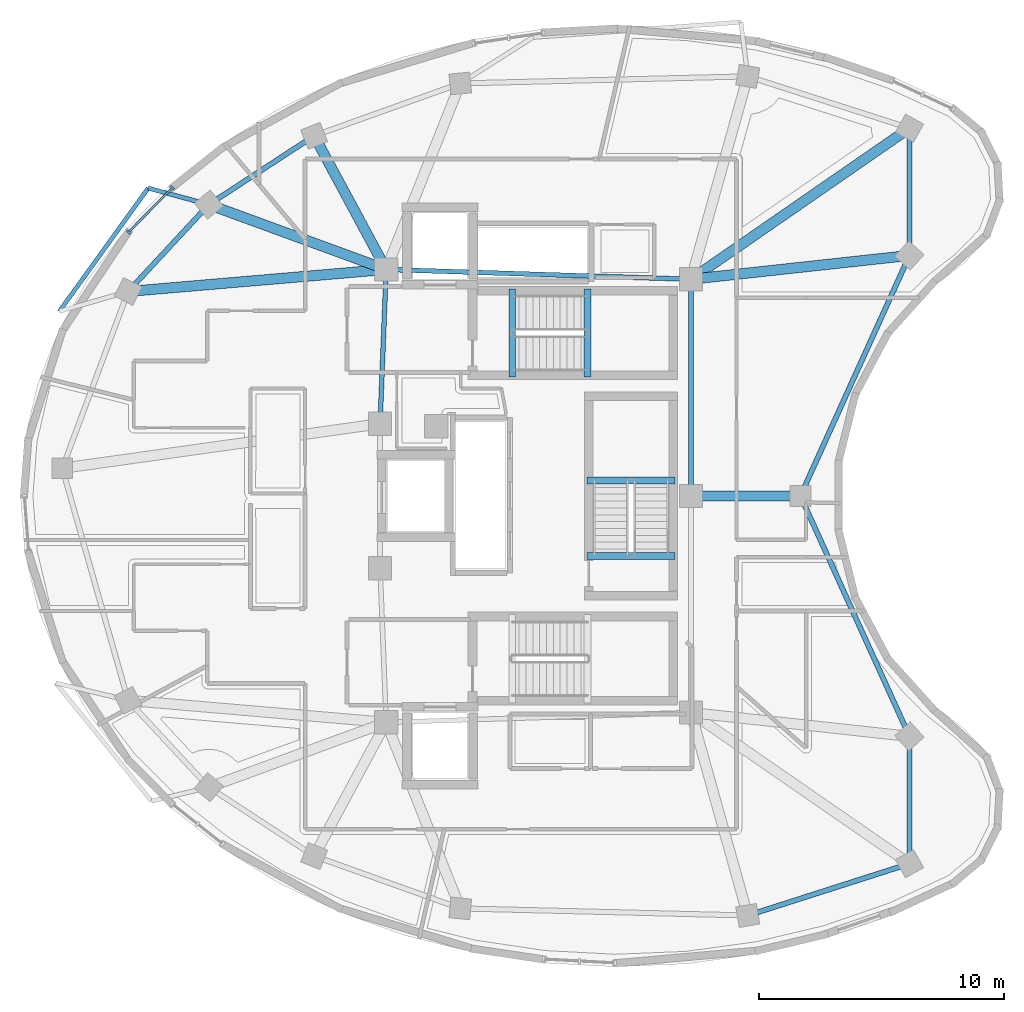
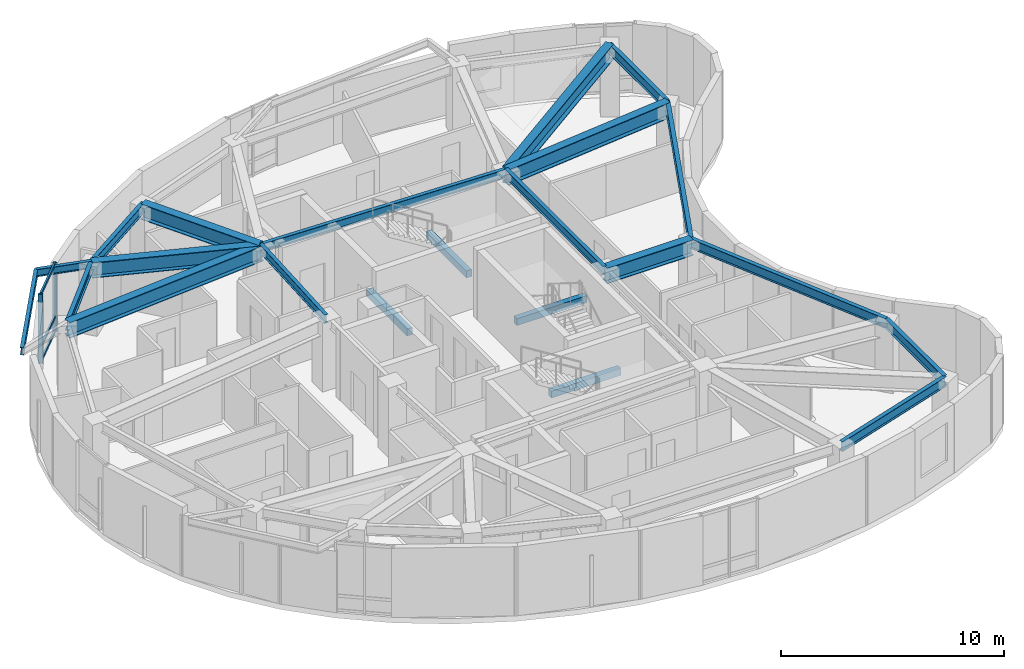
# One storey, part 3 of 12: 22 beams, 5 members, 1 element without a shape of its own.
"""IFC4 building model written with IfcOpenShell, lengths in metres."""

from ifc_helpers import new_model, si_unit, direction, frame, origin, origin_2d, place, context, subcontext, project, spatial, rectangle, i_section, extrude, material, layer, layer_set, material_profile, profile_set, type_object, element, aggregate, save


model = new_model("IFC4")

# Units and contexts
model_context = context("Model", 3, precision=1e-05, world=origin(), true_north=direction((0.0, 1.0)))
body_context = subcontext(model_context, "Body", "Model", "MODEL_VIEW")
ifc_project = project(units=[si_unit("LENGTHUNIT", "METRE"), si_unit("AREAUNIT", "SQUARE_METRE"), si_unit("VOLUMEUNIT", "CUBIC_METRE"), si_unit("PLANEANGLEUNIT", "RADIAN"), si_unit("MASSUNIT", "GRAM", prefix="KILO")], contexts=[model_context])

# Site, building, storey
site_placement = place(None, origin())
site = spatial("IfcSite", under=ifc_project, at=site_placement, CompositionType="ELEMENT")
building_placement = place(site_placement, origin())
building = spatial("IfcBuilding", under=site, at=building_placement, Name="Korentha Bioscience Tower", CompositionType="ELEMENT")
storey_placement = place(building_placement, frame((0.0, 0.0, 282.60009765625)))
storey = spatial("IfcBuildingStorey", under=building, at=storey_placement, Name="L65", CompositionType="ELEMENT", Elevation=282.60009765625)

# Beams
ifc_material_1 = material(Name="Concrete C50", Category="concrete")
ifc_material_profile_1 = material_profile(ifc_material_1, rectangle(XDim=0.280029296875, YDim=0.3798828125, at=origin_2d()), Name="Concrete C50")
ifc_profile_set_1 = profile_set([ifc_material_profile_1], Name="Concrete C50 (ST-HB380)")
beam_type_1 = type_object("IfcBeamType", Name="Concrete Stair Header Beam RC 280x380", PredefinedType="BEAM", material=ifc_profile_set_1)
for number, where, z_axis, x_axis, name in (
    (1, (30.25, 31.85009765625, -0.190185546875), (0.0, 1.0, 0.0), (-1.0, 0.0, 0.0), "L65 ST-1 Concrete Stair Header Beam"),
    (2, (33.330078125, 31.85009765625, 1.909912109375), (0.0, 1.0, 0.0), (-1.0, 0.0, 0.0), "L65 ST-1 Half-Landing Header Beam 1"),
    (3, (36.89990234375, 24.550048828125, -0.190185546875), (-1.0, 0.0, 0.0), (0.0, -1.0, 0.0), "L65 ST-3 Concrete Stair Header Beam"),
    (4, (36.89990234375, 27.6298828125, 1.909912109375), (-1.0, 0.0, 0.0), (0.0, -1.0, 0.0), "L65 ST-3 Half-Landing Header Beam 1"),
):
    element("IfcBeam", number, at=place(storey_placement, frame(where, z_axis=z_axis, x_axis=x_axis)), inside=storey, type_object=beam_type_1, Name=name, PredefinedType="BEAM", context=body_context, shape_type="SweptSolid", body=[
        extrude(rectangle(XDim=0.280029296875, YDim=0.3798828125, at=origin_2d()), origin(), (0.0, 0.0, 1.0), 3.599853515625),
    ])
ifc_material_2 = material(Name="Steel S355", Category="steel")
ifc_material_profile_2 = material_profile(ifc_material_2, i_section(OverallWidth=0.18994140625, OverallDepth=0.45703125, WebThickness=0.009033203125, FlangeThickness=0.014404296875, at=origin_2d()), Name="Steel S355")
ifc_profile_set_2 = profile_set([ifc_material_profile_2], Name="Steel S355 (MB-460)")
beam_type_2 = type_object("IfcBeamType", Name="Mid-Ring Tie Girder W460x74", PredefinedType="BEAM", material=ifc_profile_set_2)
beam_1_placement = place(storey_placement, frame((37.550048828125, 35.85009765625, 3.5615234375), z_axis=(-0.999484526071, 0.032104238723, 0.0), x_axis=(-0.032104238723, -0.999484526071, 0.0)))
element("IfcBeam", 5, at=beam_1_placement, inside=storey, type_object=beam_type_2, Name="L65 Core Ring Tie Girder 01", PredefinedType="BEAM", context=body_context, shape_type="SweptSolid", body=[
    extrude(i_section(OverallWidth=0.18994140625, OverallDepth=0.45703125, WebThickness=0.009033203125, FlangeThickness=0.014404296875, at=origin_2d()), origin(), (0.0, 0.0, 1.0), 12.456298828125),
])
beam_2_placement = place(storey_placement, frame((25.10009765625, 36.25, 3.5615234375), z_axis=(-0.039651025576, -0.999213588864, 0.0), x_axis=(0.999213588864, -0.039651025576, 0.0)))
element("IfcBeam", 6, at=beam_2_placement, inside=storey, type_object=beam_type_2, Name="L65 Core Ring Tie Girder 02", PredefinedType="BEAM", context=body_context, shape_type="SweptSolid", body=[
    extrude(i_section(OverallWidth=0.18994140625, OverallDepth=0.45703125, WebThickness=0.009033203125, FlangeThickness=0.014404296875, at=origin_2d()), origin(), (0.0, 0.0, 1.0), 6.304931640625),
])
beam_3_placement = place(storey_placement, frame((37.550048828125, 27.0, 3.5615234375), z_axis=(0.0, 1.0, 0.0), x_axis=(-1.0, 0.0, 0.0)))
element("IfcBeam", 7, at=beam_3_placement, inside=storey, type_object=beam_type_2, Name="L65 Core Ring Tie Girder 07", PredefinedType="BEAM", context=body_context, shape_type="SweptSolid", body=[
    extrude(i_section(OverallWidth=0.18994140625, OverallDepth=0.45703125, WebThickness=0.009033203125, FlangeThickness=0.014404296875, at=origin_2d()), origin(), (0.0, 0.0, 1.0), 8.85009765625),
])

# Curtain wall, members
ifc_material_3 = material(Name="Thermally Broken Aluminium Frame", Category="aluminium")
ifc_layer = layer(ifc_material_3, 0.219970703125, Name="Thermally Broken Aluminium Frame")
ifc_layer_set = layer_set([ifc_layer], Name="Thermally Broken Aluminium Frame (CW-T1)")
curtain_wall_type = type_object("IfcCurtainWallType", Name="Standard Bioscience Lab Unitised Curtain Wall CW-T1", PredefinedType="USERDEFINED", material=ifc_layer_set)
curtain_wall_placement = place(storey_placement, origin())
curtain_wall = element("IfcCurtainWall", 8, at=curtain_wall_placement, inside=storey, type_object=curtain_wall_type, Name="L65 Curtain Wall 13", ObjectType="UNITISED", PredefinedType="USERDEFINED")
ifc_material_4 = material(Name="Anodised Aluminium 6063-T6", Category="aluminium")
ifc_material_profile_3 = material_profile(ifc_material_4, rectangle(XDim=0.090087890625, YDim=0.199951171875, at=origin_2d()), Name="Anodised Aluminium 6063-T6")
ifc_profile_set_3 = profile_set([ifc_material_profile_3], Name="Anodised Aluminium 6063-T6 (CW-MUL)")
member_type_1 = type_object("IfcMemberType", Name="Mullion RECT 90x200", PredefinedType="MULLION", material=ifc_profile_set_3)
member_1_placement = place(storey_placement, frame((16.3681640625, 39.586669921875, 0.0), z_axis=(0.0, 0.0, 1.0), x_axis=(-0.703813123431, -0.710385168262, 0.0)))
member_1 = element("IfcMember", 9, at=member_1_placement, type_object=member_type_1, Name="CW-L65-13 Mullion 1", PredefinedType="MULLION", context=body_context, shape_type="SweptSolid", body=[
    extrude(rectangle(XDim=0.090087890625, YDim=0.199951171875, at=origin_2d()), origin(), (0.0, 0.0, 1.0), 3.789794921875),
])
member_2_placement = place(storey_placement, frame((14.568115234375, 37.77001953125, 0.0), z_axis=(0.0, 0.0, 1.0), x_axis=(-0.703813123431, -0.710385168262, 0.0)))
member_2 = element("IfcMember", 10, at=member_2_placement, type_object=member_type_1, Name="CW-L65-13 Mullion 2", PredefinedType="MULLION", context=body_context, shape_type="SweptSolid", body=[
    extrude(rectangle(XDim=0.090087890625, YDim=0.199951171875, at=origin_2d()), origin(), (0.0, 0.0, 1.0), 3.789794921875),
])

# Beams
ifc_material_profile_4 = material_profile(ifc_material_2, i_section(OverallWidth=0.208984375, OverallDepth=0.532958984375, WebThickness=0.01025390625, FlangeThickness=0.015625, at=origin_2d()), Name="Steel S355")
ifc_profile_set_4 = profile_set([ifc_material_profile_4], Name="Steel S355 (SB-530)")
beam_type_3 = type_object("IfcBeamType", Name="Perimeter Ring Spandrel Girder W530x92", PredefinedType="SPANDREL", material=ifc_profile_set_4)
beam_4_placement = place(storey_placement, frame((22.156982421875, 41.709228515625, 3.5234375), z_axis=(-0.837370389089, -0.546635922234, 0.0), x_axis=(0.546635922234, -0.837370389089, 0.0)))
element("IfcBeam", 11, at=beam_4_placement, inside=storey, type_object=beam_type_3, Name="L65 Perimeter Spandrel Girder 04", PredefinedType="SPANDREL", context=body_context, shape_type="SweptSolid", body=[
    extrude(i_section(OverallWidth=0.208984375, OverallDepth=0.532958984375, WebThickness=0.01025390625, FlangeThickness=0.015625, at=origin_2d()), origin(), (0.0, 0.0, 1.0), 5.137451171875),
])
beam_5_placement = place(storey_placement, frame((17.85498046875, 38.90087890625, 3.5234375), z_axis=(-0.680655927259, -0.732603240976, 0.0), x_axis=(0.732603240976, -0.680655927259, 0.0)))
element("IfcBeam", 12, at=beam_5_placement, inside=storey, type_object=beam_type_3, Name="L65 Perimeter Spandrel Girder 05", PredefinedType="SPANDREL", context=body_context, shape_type="SweptSolid", body=[
    extrude(i_section(OverallWidth=0.208984375, OverallDepth=0.532958984375, WebThickness=0.01025390625, FlangeThickness=0.015625, at=origin_2d()), origin(), (0.0, 0.0, 1.0), 4.845458984375),
])
beam_6_placement = place(storey_placement, frame((39.869140625, 9.86181640625, 3.5234375), z_axis=(0.952374693577, 0.304930226503, 0.0), x_axis=(-0.304930226503, 0.952374693577, 0.0)))
element("IfcBeam", 13, at=beam_6_placement, inside=storey, type_object=beam_type_3, Name="L65 Perimeter Spandrel Girder 12", PredefinedType="SPANDREL", context=body_context, shape_type="SweptSolid", body=[
    extrude(i_section(OverallWidth=0.208984375, OverallDepth=0.532958984375, WebThickness=0.01025390625, FlangeThickness=0.015625, at=origin_2d()), origin(), (0.0, 0.0, 1.0), 6.9375),
])
beam_7_placement = place(storey_placement, frame((46.476318359375, 11.977294921875, 3.5234375), z_axis=(-0.00032863848, 0.999999945998, 0.0), x_axis=(-0.999999945998, -0.00032863848, 0.0)))
element("IfcBeam", 14, at=beam_7_placement, inside=storey, type_object=beam_type_3, Name="L65 Perimeter Spandrel Girder 13", PredefinedType="SPANDREL", context=body_context, shape_type="SweptSolid", body=[
    extrude(i_section(OverallWidth=0.208984375, OverallDepth=0.532958984375, WebThickness=0.01025390625, FlangeThickness=0.015625, at=origin_2d()), origin(), (0.0, 0.0, 1.0), 5.2001953125),
])
for number, where, z_axis, x_axis, name in (
    (15, (46.474609375, 17.177490234375, 3.5234375), (-0.413001207092, 0.910730477661, 0.0), (-0.910730477661, -0.413001207092, 0.0), "L65 Perimeter Spandrel Girder 14"),
    (16, (42.020263671875, 27.0, 3.5234375), (0.413001207092, 0.910730477661, 0.0), (-0.910730477661, 0.413001207092, 0.0), "L65 Perimeter Spandrel Girder 15"),
):
    element("IfcBeam", number, at=place(storey_placement, frame(where, z_axis=z_axis, x_axis=x_axis)), inside=storey, type_object=beam_type_3, Name=name, PredefinedType="SPANDREL", context=body_context, shape_type="SweptSolid", body=[
        extrude(i_section(OverallWidth=0.208984375, OverallDepth=0.532958984375, WebThickness=0.01025390625, FlangeThickness=0.015625, at=origin_2d()), origin(), (0.0, 0.0, 1.0), 10.785400390625),
    ])
beam_8_placement = place(storey_placement, frame((46.474609375, 36.822509765625, 3.5234375), z_axis=(0.00032863848, 0.999999945998, 0.0), x_axis=(-0.999999945998, 0.00032863848, 0.0)))
element("IfcBeam", 17, at=beam_8_placement, inside=storey, type_object=beam_type_3, Name="L65 Perimeter Spandrel Girder 16", PredefinedType="SPANDREL", context=body_context, shape_type="SweptSolid", body=[
    extrude(i_section(OverallWidth=0.208984375, OverallDepth=0.532958984375, WebThickness=0.01025390625, FlangeThickness=0.015625, at=origin_2d()), origin(), (0.0, 0.0, 1.0), 5.2001953125),
])
ifc_material_profile_5 = material_profile(ifc_material_2, i_section(OverallWidth=0.419921875, OverallDepth=0.85009765625, WebThickness=0.01806640625, FlangeThickness=0.031982421875, at=origin_2d()), Name="Steel S355")
ifc_profile_set_5 = profile_set([ifc_material_profile_5], Name="Steel S355 (MB-850)")
beam_type_4 = type_object("IfcBeamType", Name="Plant Heavy Girder CVS 850x315", PredefinedType="BEAM", material=ifc_profile_set_5)
beam_9_placement = place(storey_placement, frame((37.550048828125, 35.85009765625, 3.364990234375), z_axis=(0.822499007629, 0.56876654477, 0.0), x_axis=(-0.56876654477, 0.822499007629, 0.0)))
element("IfcBeam", 18, at=beam_9_placement, inside=storey, type_object=beam_type_4, Name="L65 Radial Girder 01", PredefinedType="BEAM", context=body_context, shape_type="SweptSolid", body=[
    extrude(i_section(OverallWidth=0.419921875, OverallDepth=0.85009765625, WebThickness=0.01806640625, FlangeThickness=0.031982421875, at=origin_2d()), origin(), (0.0, 0.0, 1.0), 10.8525390625),
])
beam_10_placement = place(storey_placement, frame((25.10009765625, 36.25, 3.364990234375), z_axis=(-0.474541081143, 0.880233356734, 0.0), x_axis=(-0.880233356734, -0.474541081143, 0.0)))
element("IfcBeam", 19, at=beam_10_placement, inside=storey, type_object=beam_type_4, Name="L65 Radial Girder 04", PredefinedType="BEAM", context=body_context, shape_type="SweptSolid", body=[
    extrude(i_section(OverallWidth=0.419921875, OverallDepth=0.85009765625, WebThickness=0.01806640625, FlangeThickness=0.031982421875, at=origin_2d()), origin(), (0.0, 0.0, 1.0), 6.201904296875),
])
beam_11_placement = place(storey_placement, frame((25.10009765625, 36.25, 3.364990234375), z_axis=(-0.939113387984, 0.343607398798, 0.0), x_axis=(-0.343607398798, -0.939113387984, 0.0)))
element("IfcBeam", 20, at=beam_11_placement, inside=storey, type_object=beam_type_4, Name="L65 Radial Girder 05", PredefinedType="BEAM", context=body_context, shape_type="SweptSolid", body=[
    extrude(i_section(OverallWidth=0.419921875, OverallDepth=0.85009765625, WebThickness=0.01806640625, FlangeThickness=0.031982421875, at=origin_2d()), origin(), (0.0, 0.0, 1.0), 7.71484375),
])
beam_12_placement = place(storey_placement, frame((25.10009765625, 36.25, 3.364990234375), z_axis=(-0.996384971169, -0.084952864741, 0.0), x_axis=(0.084952864741, -0.996384971169, 0.0)))
element("IfcBeam", 21, at=beam_12_placement, inside=storey, type_object=beam_type_4, Name="L65 Radial Girder 06", PredefinedType="BEAM", context=body_context, shape_type="SweptSolid", body=[
    extrude(i_section(OverallWidth=0.419921875, OverallDepth=0.85009765625, WebThickness=0.01806640625, FlangeThickness=0.031982421875, at=origin_2d()), origin(), (0.0, 0.0, 1.0), 10.58154296875),
])
beam_13_placement = place(storey_placement, frame((37.550048828125, 27.0, 3.364990234375), z_axis=(1.0, 0.0, 0.0), x_axis=(0.0, 1.0, 0.0)))
element("IfcBeam", 22, at=beam_13_placement, inside=storey, type_object=beam_type_4, Name="L65 Radial Girder 15", PredefinedType="BEAM", context=body_context, shape_type="SweptSolid", body=[
    extrude(i_section(OverallWidth=0.419921875, OverallDepth=0.85009765625, WebThickness=0.01806640625, FlangeThickness=0.031982421875, at=origin_2d()), origin(), (0.0, 0.0, 1.0), 4.47021484375),
])
beam_14_placement = place(storey_placement, frame((37.550048828125, 35.85009765625, 3.364990234375), z_axis=(0.994116294337, 0.108318019432, 0.0), x_axis=(-0.108318019432, 0.994116294337, 0.0)))
element("IfcBeam", 23, at=beam_14_placement, inside=storey, type_object=beam_type_4, Name="L65 Radial Girder 16", PredefinedType="BEAM", context=body_context, shape_type="SweptSolid", body=[
    extrude(i_section(OverallWidth=0.419921875, OverallDepth=0.85009765625, WebThickness=0.01806640625, FlangeThickness=0.031982421875, at=origin_2d()), origin(), (0.0, 0.0, 1.0), 8.977294921875),
])
ifc_material_profile_6 = material_profile(ifc_material_2, i_section(OverallWidth=0.177978515625, OverallDepth=0.406982421875, WebThickness=0.0078125, FlangeThickness=0.0126953125, at=origin_2d()), Name="Steel S355")
ifc_profile_set_6 = profile_set([ifc_material_profile_6], Name="Steel S355 (CB-410)")
beam_type_5 = type_object("IfcBeamType", Name="Sun-Ledge Cantilever Beam W410x60", PredefinedType="BEAM", material=ifc_profile_set_6)
beam_15_placement = place(storey_placement, frame((17.85498046875, 38.90087890625, 3.58837890625), z_axis=(-0.965015941255, 0.262191214809, 0.0), x_axis=(-0.262191214809, -0.965015941255, 0.0)))
element("IfcBeam", 24, at=beam_15_placement, inside=storey, type_object=beam_type_5, Name="L65 Balcony Cantilever Bracket A-L66-02", PredefinedType="BEAM", context=body_context, shape_type="SweptSolid", body=[
    extrude(i_section(OverallWidth=0.177978515625, OverallDepth=0.406982421875, WebThickness=0.0078125, FlangeThickness=0.0126953125, at=origin_2d()), origin(), (0.0, 0.0, 1.0), 2.5654296875),
])
beam_16_placement = place(storey_placement, frame((15.37939453125, 39.573486328125, 3.58837890625), z_axis=(-0.584965169678, -0.811058413595, 0.0), x_axis=(0.811058413595, -0.584965169678, 0.0)))
element("IfcBeam", 25, at=beam_16_placement, inside=storey, type_object=beam_type_5, Name="L65 Balcony Edge Trimmer Beam L66-02", PredefinedType="BEAM", context=body_context, shape_type="SweptSolid", body=[
    extrude(i_section(OverallWidth=0.177978515625, OverallDepth=0.406982421875, WebThickness=0.0078125, FlangeThickness=0.0126953125, at=origin_2d()), origin(), (0.0, 0.0, 1.0), 6.211181640625),
])

# Member
ifc_material_profile_7 = material_profile(ifc_material_4, rectangle(XDim=0.090087890625, YDim=0.159912109375, at=origin_2d()), Name="Anodised Aluminium 6063-T6")
ifc_profile_set_7 = profile_set([ifc_material_profile_7], Name="Anodised Aluminium 6063-T6 (CW-TRN)")
member_type_2 = type_object("IfcMemberType", Name="Transom RECT 90x160", PredefinedType="USERDEFINED", material=ifc_profile_set_7)
member_3_placement = place(storey_placement, frame((16.336669921875, 39.5546875, 0.044921875), z_axis=(-0.703834338807, -0.710364148529, 0.0), x_axis=(0.710364148529, -0.703834338807, 0.0)))
member_3 = element("IfcMember", 26, at=member_3_placement, type_object=member_type_2, Name="CW-L65-13 Bay 1 Transom 1", ObjectType="TRANSOM", PredefinedType="USERDEFINED", context=body_context, shape_type="SweptSolid", body=[
    extrude(rectangle(XDim=0.090087890625, YDim=0.159912109375, at=origin_2d()), origin(), (0.0, 0.0, 1.0), 2.467529296875),
])

member_4_placement = place(storey_placement, frame((16.336669921875, 39.5546875, 0.849853515625), z_axis=(-0.703834338807, -0.710364148529, 0.0), x_axis=(0.710364148529, -0.703834338807, 0.0)))
member_4 = element("IfcMember", 27, at=member_4_placement, type_object=member_type_2, Name="CW-L65-13 Bay 1 Transom 2", ObjectType="TRANSOM", PredefinedType="USERDEFINED", context=body_context, shape_type="SweptSolid", body=[
    extrude(rectangle(XDim=0.090087890625, YDim=0.159912109375, at=origin_2d()), origin(), (0.0, 0.0, 1.0), 2.467529296875),
])

member_5_placement = place(storey_placement, frame((16.336669921875, 39.5546875, 3.744873046875), z_axis=(-0.703834338807, -0.710364148529, 0.0), x_axis=(0.710364148529, -0.703834338807, 0.0)))
member_5 = element("IfcMember", 28, at=member_5_placement, type_object=member_type_2, Name="CW-L65-13 Bay 1 Transom 3", ObjectType="TRANSOM", PredefinedType="USERDEFINED", context=body_context, shape_type="SweptSolid", body=[
    extrude(rectangle(XDim=0.090087890625, YDim=0.159912109375, at=origin_2d()), origin(), (0.0, 0.0, 1.0), 2.467529296875),
])

aggregate(curtain_wall, [member_1, member_2, member_3, member_4, member_5])

save(model, "model.ifc")
